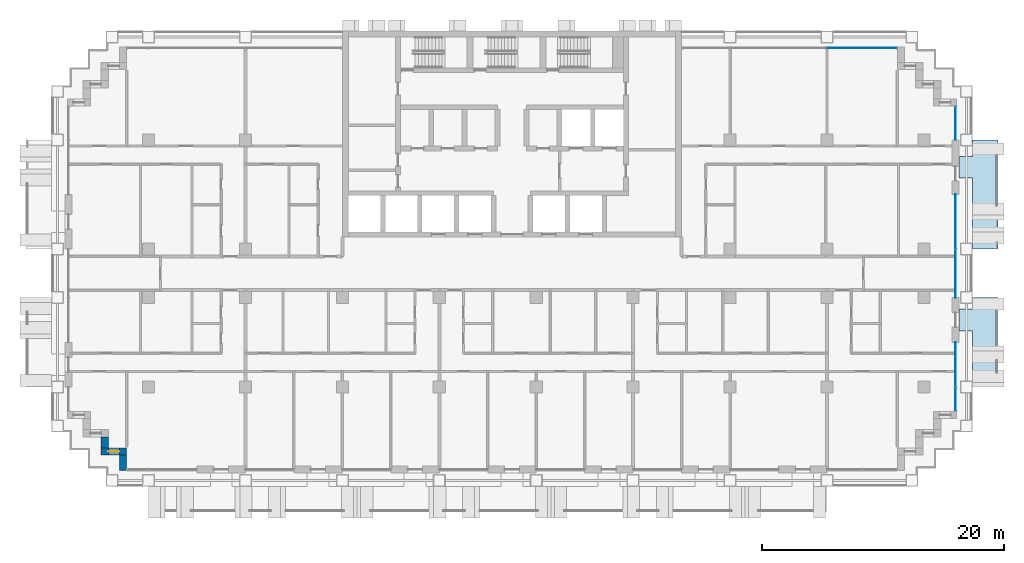
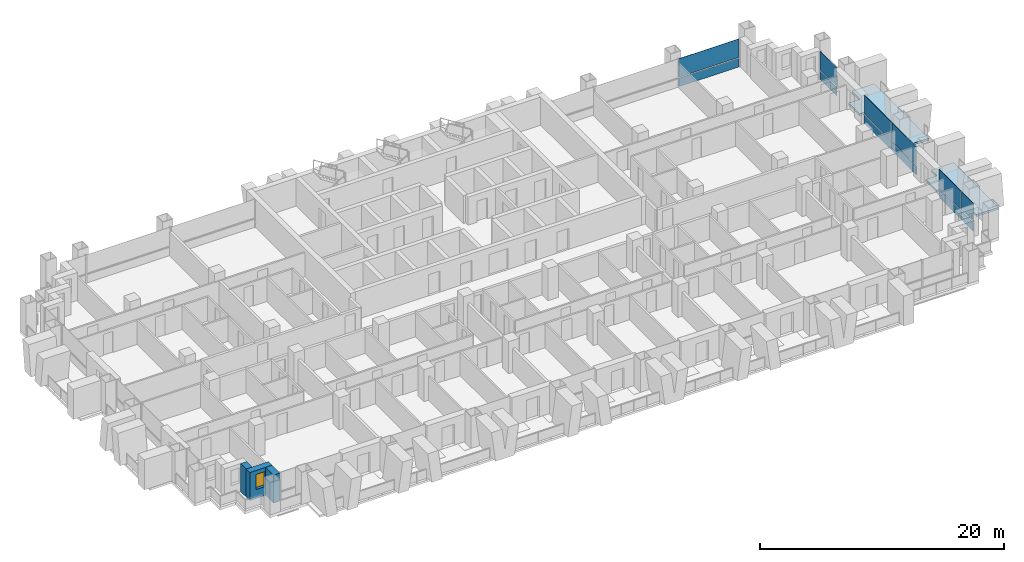
# One storey, part 8 of 19: 12 plates, 3 walls, 2 slabs, 1 window, 1 opening, 4 elements without a shape of their own.
"""IFC4 building model written with IfcOpenShell, lengths in metres."""

import ifcopenshell
import ifcopenshell.guid

model = None  # the IFC model being written
_history = None  # IfcOwnerHistory: only IFC2X3 demands one
_inside = {}  # id of a spatial element -> (the spatial element, [elements in it])
_under = {}  # id of a project, library or spatial element -> (it, [spatial elements below it])
_declared = {}  # id of a project -> (the project, [libraries it declares])
_typed = {}  # id of a type object -> (the type object, [elements of that type])
_made_of = {}  # id of a material, layer set ... -> (it, [elements and type objects made of it])


def new_model(schema):
    """Start an empty IFC model of exactly this schema.

    Asked for "IFC4X3", IfcOpenShell would pick the latest addendum, in which some entities
    have other attributes; the version numbers below select the first issue.
    IFC2X3 requires an IfcOwnerHistory on every rooted entity: one is made here for all.
    """
    global model, _history
    if schema == "IFC4X3":
        model = ifcopenshell.file(schema_version=(4, 3, 0, 0))
    else:
        model = ifcopenshell.file(schema=schema)
    _inside.clear()
    _under.clear()
    _declared.clear()
    _typed.clear()
    _made_of.clear()
    _history = None
    if model.schema == "IFC2X3":
        org = make("IfcOrganization", Name="unknown")
        user = make(
            "IfcPersonAndOrganization",
            ThePerson=make("IfcPerson", FamilyName="unknown"),
            TheOrganization=org,
        )
        app = make(
            "IfcApplication",
            ApplicationDeveloper=org,
            Version="unknown",
            ApplicationFullName="unknown",
            ApplicationIdentifier="unknown",
        )
        _history = make(
            "IfcOwnerHistory",
            OwningUser=user,
            OwningApplication=app,
            ChangeAction="ADDED",
            CreationDate=0,
        )
    return model


def make(cls, **values):
    """One entity of the class cls with the attributes given. An attribute that is None is left unset."""
    return model.create_entity(
        cls, **{name: value for name, value in values.items() if value is not None}
    )


def rooted(cls, **values):
    """An entity with a GlobalId (a new one), such as an element, a storey or a relation."""
    return make(cls, GlobalId=ifcopenshell.guid.new(), OwnerHistory=_history, **values)


def si_unit(unit_type, name, prefix=None):
    """IfcSIUnit, for example si_unit("LENGTHUNIT", "METRE", prefix="MILLI")."""
    return make("IfcSIUnit", UnitType=unit_type, Prefix=prefix, Name=name)


def assignment(units):
    """IfcUnitAssignment: the units of a project."""
    return None if units is None else make("IfcUnitAssignment", Units=units)


def point(xyz):
    """IfcCartesianPoint."""
    return None if xyz is None else make("IfcCartesianPoint", Coordinates=xyz)


def direction(xyz):
    """IfcDirection."""
    return None if xyz is None else make("IfcDirection", DirectionRatios=xyz)


def frame(location, z_axis=None, x_axis=None):
    """IfcAxis2Placement3D, a coordinate frame: its origin and axes. An axis left out is left unset."""
    return make(
        "IfcAxis2Placement3D",
        Location=point(location),
        Axis=direction(z_axis),
        RefDirection=direction(x_axis),
    )


def frame_2d(location, x_axis=None):
    """IfcAxis2Placement2D, a coordinate frame in the plane: its origin and x axis."""
    return make(
        "IfcAxis2Placement2D", Location=point(location), RefDirection=direction(x_axis)
    )


def origin():
    """The frame at (0, 0, 0) with its axes left unset."""
    return frame((0.0, 0.0, 0.0))


def origin_2d():
    """The frame at (0, 0) in the plane with its x axis left unset."""
    return frame_2d((0.0, 0.0))


def place(relative_to, where):
    """IfcLocalPlacement: puts the frame where relative to a parent placement (None: the world)."""
    return make(
        "IfcLocalPlacement", PlacementRelTo=relative_to, RelativePlacement=where
    )


def context(
    kind, dimensions, precision=None, world=None, true_north=None, identifier=None
):
    """IfcGeometricRepresentationContext, for example the 3D "Model" context."""
    return make(
        "IfcGeometricRepresentationContext",
        ContextIdentifier=identifier,
        ContextType=kind,
        CoordinateSpaceDimension=dimensions,
        Precision=precision,
        WorldCoordinateSystem=world,
        TrueNorth=true_north,
    )


def subcontext(parent, identifier, kind, view, scale=None):
    """IfcGeometricRepresentationSubContext, for example "Body" below "Model"."""
    return make(
        "IfcGeometricRepresentationSubContext",
        ContextIdentifier=identifier,
        ContextType=kind,
        ParentContext=parent,
        TargetScale=scale,
        TargetView=view,
    )


def project(units=None, contexts=None):
    """IfcProject with its units and contexts."""
    return rooted(
        "IfcProject",
        Name="project",
        RepresentationContexts=contexts,
        UnitsInContext=assignment(units),
    )


def spatial(cls, under=None, at=None, **own):
    """A site, building, storey or space (cls), placed at a placement, below another one or the project."""
    s = rooted(cls, ObjectPlacement=at, **own)
    if under is not None:
        _under.setdefault(under.id(), (under, []))[1].append(s)
    return s


def polyline(points):
    """IfcPolyline through the points."""
    return make("IfcPolyline", Points=[point(p) for p in points])


def profile(cls, at=None, kind="AREA", **sizes):
    """A parametric profile (cls). Its sizes go by their IFC names, for example OverallWidth=200.0."""
    return make(cls, ProfileType=kind, Position=at, **sizes)


def rectangle(**sizes):
    """IfcRectangleProfileDef."""
    return profile("IfcRectangleProfileDef", **sizes)


def outline(outer, holes=None, kind="AREA"):
    """IfcArbitraryClosedProfileDef: a profile drawn as a closed curve; with holes, ...WithVoids."""
    if holes is None:
        return make("IfcArbitraryClosedProfileDef", ProfileType=kind, OuterCurve=outer)
    return make(
        "IfcArbitraryProfileDefWithVoids",
        ProfileType=kind,
        OuterCurve=outer,
        InnerCurves=holes,
    )


def extrude(swept, where, along, depth):
    """IfcExtrudedAreaSolid: the profile swept, set in the frame where, extruded along a direction by depth."""
    return make(
        "IfcExtrudedAreaSolid",
        SweptArea=swept,
        Position=where,
        ExtrudedDirection=direction(along),
        Depth=depth,
    )


def shape(context_of_items, identifier, shape_type, items):
    """IfcShapeRepresentation: the items that make up one representation, for example the "Body"."""
    return make(
        "IfcShapeRepresentation",
        ContextOfItems=context_of_items,
        RepresentationIdentifier=identifier,
        RepresentationType=shape_type,
        Items=items,
    )


def material(Name=None, Category=None):
    """IfcMaterial."""
    return make("IfcMaterial", Name=Name, Category=Category)


def layer(
    of_material, thickness, ventilated=None, Name=None, Category=None, Priority=None
):
    """IfcMaterialLayer: one layer of a wall or slab, of a material (None: an air gap)."""
    return make(
        "IfcMaterialLayer",
        Material=of_material,
        LayerThickness=thickness,
        IsVentilated=ventilated,
        Name=Name,
        Category=Category,
        Priority=Priority,
    )


def layer_set(layers, Name=None):
    """IfcMaterialLayerSet."""
    return make("IfcMaterialLayerSet", MaterialLayers=layers, LayerSetName=Name)


def made_of(thing, what):
    """Note that an element or type object is made of a material, layer set ...; save() writes the relation."""
    if what is not None:
        _made_of.setdefault(what.id(), (what, []))[1].append(thing)
    return thing


def type_object(cls, material=None, **own):
    """A type object (cls), such as IfcWallType, which elements share."""
    return made_of(rooted(cls, **own), material)


def element(
    cls,
    number,
    at=None,
    inside=None,
    cuts=None,
    type_object=None,
    material=None,
    context=None,
    identifier="Body",
    shape_type=None,
    held_by="IfcProductDefinitionShape",
    body=None,
    shapes=None,
    **own,
):
    """One element of the class cls, such as IfcWall. Its Tag is "e" and its number.

    at: its placement. inside: the storey or other place that contains it. cuts: it is an
    opening in that element (IfcRelVoidsElement). A single representation is given by context,
    identifier, shape_type and body (its items); several are given by shapes. held_by: the class
    of the entity that holds the representations. save() writes the other relations.
    """
    e = rooted(cls, Tag="e%d" % number, ObjectPlacement=at, **own)
    if body is not None:
        shapes = [shape(context, identifier, shape_type, body)]
    if shapes is not None:
        e.Representation = make(held_by, Representations=shapes)
    if inside is not None:
        _inside.setdefault(inside.id(), (inside, []))[1].append(e)
    if cuts is not None:
        rooted(
            "IfcRelVoidsElement", RelatingBuildingElement=cuts, RelatedOpeningElement=e
        )
    if type_object is not None:
        _typed.setdefault(type_object.id(), (type_object, []))[1].append(e)
    return made_of(e, material)


def fill(opening, filler):
    """IfcRelFillsElement: the door or window that sits in an opening."""
    return rooted(
        "IfcRelFillsElement",
        RelatingOpeningElement=opening,
        RelatedBuildingElement=filler,
    )


def aggregate(whole, parts):
    """IfcRelAggregates: a whole, such as a stair, and the parts it consists of."""
    return rooted("IfcRelAggregates", RelatingObject=whole, RelatedObjects=parts)


def save(model, path):
    """Write the relations noted so far, then the file.

    IfcRelAggregates (storeys below a building ...), IfcRelContainedInSpatialStructure (elements
    in a storey), IfcRelDefinesByType, IfcRelAssociatesMaterial and IfcRelDeclares: one each for
    every whole, place, type object, material and project.
    """
    for whole, parts in _under.values():
        aggregate(whole, parts)
    for where, things in _inside.values():
        rooted(
            "IfcRelContainedInSpatialStructure",
            RelatedElements=things,
            RelatingStructure=where,
        )
    for kind, things in _typed.values():
        rooted("IfcRelDefinesByType", RelatedObjects=things, RelatingType=kind)
    for what, things in _made_of.values():
        rooted("IfcRelAssociatesMaterial", RelatedObjects=things, RelatingMaterial=what)
    for by, libraries in _declared.values():
        rooted("IfcRelDeclares", RelatingContext=by, RelatedDefinitions=libraries)
    model.write(path)


model = new_model("IFC4")

# Units and contexts
model_context = context("Model", 3, precision=1e-05, world=origin(), true_north=direction((0.0, 1.0)))
body_context = subcontext(model_context, "Body", "Model", "MODEL_VIEW")
ifc_project = project(units=[si_unit("LENGTHUNIT", "METRE"), si_unit("AREAUNIT", "SQUARE_METRE"), si_unit("VOLUMEUNIT", "CUBIC_METRE"), si_unit("PLANEANGLEUNIT", "RADIAN"), si_unit("MASSUNIT", "GRAM", prefix="KILO")], contexts=[model_context])

# Site, building, storey
site_placement = place(None, origin())
site = spatial("IfcSite", under=ifc_project, at=site_placement, CompositionType="ELEMENT")
building_placement = place(site_placement, origin())
building = spatial("IfcBuilding", under=site, at=building_placement, Name="Vidyagriha Tower", CompositionType="ELEMENT")
storey_placement = place(building_placement, frame((0.0, 0.0, 60.800048828125)))
storey = spatial("IfcBuildingStorey", under=building, at=storey_placement, Name="L16", CompositionType="ELEMENT", Elevation=60.800048828125)

# Curtain wall, plate
ifc_material_1 = material(Name="Aluminium and glass curtain wall", Category="aluminium")
curtain_wall_type = type_object("IfcCurtainWallType", Name="Dwelling skin unitised curtain wall", PredefinedType="USERDEFINED", material=ifc_material_1)
curtain_wall_1_placement = place(storey_placement, origin())
curtain_wall_1 = element("IfcCurtainWall", 1, at=curtain_wall_1_placement, inside=storey, type_object=curtain_wall_type, Name="CW1 dwelling skin", ObjectType="UNITISED", PredefinedType="USERDEFINED")
ifc_material_2 = material(Name="Glass dark ceramic-fritted spandrel", Category="glass")
ifc_layer_1 = layer(ifc_material_2, 0.0400390625)
ifc_layer_set_1 = layer_set([ifc_layer_1], Name="Glass dark ceramic-fritted spandrel")
plate_type_1 = type_object("IfcPlateType", Name="Ceramic-fritted spandrel panel", PredefinedType="CURTAIN_PANEL", material=ifc_layer_set_1)
plate_1_placement = place(storey_placement, frame((28.882568359375, 18.60009765625, 0.0), z_axis=(0.0, 0.0, 1.0), x_axis=(-1.0, 0.0, 0.0)))
plate_1 = element("IfcPlate", 2, at=plate_1_placement, type_object=plate_type_1, Name="CW1 panel 1.1", PredefinedType="CURTAIN_PANEL", context=body_context, shape_type="SweptSolid", body=[
    extrude(rectangle(XDim=5.695068359375, YDim=0.0400390625, at=origin_2d()), origin(), (0.0, 0.0, 1.0), 0.85009765625),
])

# Curtain wall, plates
curtain_wall_2_placement = place(storey_placement, origin())
curtain_wall_2 = element("IfcCurtainWall", 3, at=curtain_wall_2_placement, inside=storey, type_object=curtain_wall_type, Name="CW1 dwelling skin", ObjectType="UNITISED", PredefinedType="USERDEFINED")
plate_2_placement = place(storey_placement, frame((36.60009765625, -10.382568359375, 0.0), z_axis=(0.0, 0.0, 1.0), x_axis=(0.0, 1.0, 0.0)))
plate_2 = element("IfcPlate", 4, at=plate_2_placement, type_object=plate_type_1, Name="CW1 panel 1.1", PredefinedType="CURTAIN_PANEL", context=body_context, shape_type="SweptSolid", body=[
    extrude(rectangle(XDim=1.89501953125, YDim=0.0400390625, at=origin_2d()), origin(), (0.0, 0.0, 1.0), 0.85009765625),
])
plate_3_placement = place(storey_placement, frame((36.60009765625, -7.532470703125, 0.0), z_axis=(0.0, 0.0, 1.0), x_axis=(0.0, 1.0, 0.0)))
plate_3 = element("IfcPlate", 5, at=plate_3_placement, type_object=plate_type_1, Name="CW1 panel 2.1", PredefinedType="CURTAIN_PANEL", context=body_context, shape_type="SweptSolid", body=[
    extrude(rectangle(XDim=3.6650390625, YDim=0.0400390625, at=origin_2d()), origin(), (0.0, 0.0, 1.0), 0.85009765625),
])

# Curtain wall, plate
curtain_wall_3_placement = place(storey_placement, origin())
curtain_wall_3 = element("IfcCurtainWall", 6, at=curtain_wall_3_placement, inside=storey, type_object=curtain_wall_type, Name="CW1 dwelling skin", ObjectType="UNITISED", PredefinedType="USERDEFINED")
plate_4_placement = place(storey_placement, frame((36.60009765625, 12.364990234375, 0.0), z_axis=(0.0, 0.0, 1.0), x_axis=(0.0, 1.0, 0.0)))
plate_4 = element("IfcPlate", 7, at=plate_4_placement, type_object=plate_type_1, Name="CW1 panel 1.1", PredefinedType="CURTAIN_PANEL", context=body_context, shape_type="SweptSolid", body=[
    extrude(rectangle(XDim=2.72998046875, YDim=0.0400390625, at=origin_2d()), origin(), (0.0, 0.0, 1.0), 0.85009765625),
])

# Plate
ifc_material_3 = material(Name="Glass dark ceramic-fritted", Category="glass")
ifc_layer_2 = layer(ifc_material_3, 0.028076171875)
ifc_layer_set_2 = layer_set([ifc_layer_2], Name="Glass dark ceramic-fritted")
plate_type_2 = type_object("IfcPlateType", Name="Dark ceramic-fritted vision glass panel", PredefinedType="CURTAIN_PANEL", material=ifc_layer_set_2)
plate_5_placement = place(storey_placement, frame((28.882568359375, 18.60009765625, 0.949951171875), z_axis=(0.0, 0.0, 1.0), x_axis=(-1.0, 0.0, 0.0)))
plate_5 = element("IfcPlate", 8, at=plate_5_placement, type_object=plate_type_2, Name="CW1 panel 1.2", PredefinedType="CURTAIN_PANEL", context=body_context, shape_type="SweptSolid", body=[
    extrude(rectangle(XDim=5.695068359375, YDim=0.028076171875, at=origin_2d()), origin(), (0.0, 0.0, 1.0), 1.85009765625),
])

aggregate(curtain_wall_1, [plate_1, plate_5])

plate_6_placement = place(storey_placement, frame((36.60009765625, -10.382568359375, 0.949951171875), z_axis=(0.0, 0.0, 1.0), x_axis=(0.0, 1.0, 0.0)))
plate_6 = element("IfcPlate", 9, at=plate_6_placement, type_object=plate_type_2, Name="CW1 panel 1.2", PredefinedType="CURTAIN_PANEL", context=body_context, shape_type="SweptSolid", body=[
    extrude(rectangle(XDim=1.89501953125, YDim=0.028076171875, at=origin_2d()), origin(), (0.0, 0.0, 1.0), 1.85009765625),
])

plate_7_placement = place(storey_placement, frame((36.60009765625, -7.532470703125, 0.949951171875), z_axis=(0.0, 0.0, 1.0), x_axis=(0.0, 1.0, 0.0)))
plate_7 = element("IfcPlate", 10, at=plate_7_placement, type_object=plate_type_2, Name="CW1 panel 2.2", PredefinedType="CURTAIN_PANEL", context=body_context, shape_type="SweptSolid", body=[
    extrude(rectangle(XDim=3.6650390625, YDim=0.028076171875, at=origin_2d()), origin(), (0.0, 0.0, 1.0), 1.85009765625),
])

aggregate(curtain_wall_2, [plate_2, plate_6, plate_3, plate_7])

# Curtain wall, plates
curtain_wall_4_placement = place(storey_placement, origin())
curtain_wall_4 = element("IfcCurtainWall", 11, at=curtain_wall_4_placement, inside=storey, type_object=curtain_wall_type, Name="CW1 dwelling skin", ObjectType="UNITISED", PredefinedType="USERDEFINED")
plate_8_placement = place(storey_placement, frame((36.60009765625, -0.017578125, 0.949951171875), z_axis=(0.0, 0.0, 1.0), x_axis=(0.0, 1.0, 0.0)))
plate_8 = element("IfcPlate", 12, at=plate_8_placement, type_object=plate_type_2, Name="CW1 panel 1.2", PredefinedType="CURTAIN_PANEL", context=body_context, shape_type="SweptSolid", body=[
    extrude(rectangle(XDim=3.965087890625, YDim=0.028076171875, at=origin_2d()), origin(), (0.0, 0.0, 1.0), 1.85009765625),
])
plate_9_placement = place(storey_placement, frame((36.60009765625, 4.267578125, 0.949951171875), z_axis=(0.0, 0.0, 1.0), x_axis=(0.0, 1.0, 0.0)))
plate_9 = element("IfcPlate", 13, at=plate_9_placement, type_object=plate_type_2, Name="CW1 panel 2.2", PredefinedType="CURTAIN_PANEL", context=body_context, shape_type="SweptSolid", body=[
    extrude(rectangle(XDim=4.465087890625, YDim=0.028076171875, at=origin_2d()), origin(), (0.0, 0.0, 1.0), 1.85009765625),
])

# Plate
plate_10_placement = place(storey_placement, frame((36.60009765625, 12.364990234375, 0.949951171875), z_axis=(0.0, 0.0, 1.0), x_axis=(0.0, 1.0, 0.0)))
plate_10 = element("IfcPlate", 14, at=plate_10_placement, type_object=plate_type_2, Name="CW1 panel 1.2", PredefinedType="CURTAIN_PANEL", context=body_context, shape_type="SweptSolid", body=[
    extrude(rectangle(XDim=2.72998046875, YDim=0.028076171875, at=origin_2d()), origin(), (0.0, 0.0, 1.0), 1.85009765625),
])

aggregate(curtain_wall_3, [plate_4, plate_10])

ifc_material_4 = material(Name="Aluminium black anodised", Category="aluminium")
ifc_layer_3 = layer(ifc_material_4, 0.06005859375)
ifc_layer_set_3 = layer_set([ifc_layer_3], Name="Aluminium black anodised")
plate_type_3 = type_object("IfcPlateType", Name="Operable black-metal vent panel", PredefinedType="CURTAIN_PANEL", material=ifc_layer_set_3)
plate_11_placement = place(storey_placement, frame((36.60009765625, -0.017578125, 0.0), z_axis=(0.0, 0.0, 1.0), x_axis=(0.0, 1.0, 0.0)))
plate_11 = element("IfcPlate", 15, at=plate_11_placement, type_object=plate_type_3, Name="CW1 panel 1.1", PredefinedType="CURTAIN_PANEL", context=body_context, shape_type="SweptSolid", body=[
    extrude(rectangle(XDim=3.965087890625, YDim=0.06005859375, at=origin_2d()), origin(), (0.0, 0.0, 1.0), 0.85009765625),
])

plate_12_placement = place(storey_placement, frame((36.60009765625, 4.267578125, 0.0), z_axis=(0.0, 0.0, 1.0), x_axis=(0.0, 1.0, 0.0)))
plate_12 = element("IfcPlate", 16, at=plate_12_placement, type_object=plate_type_3, Name="CW1 panel 2.1", PredefinedType="CURTAIN_PANEL", context=body_context, shape_type="SweptSolid", body=[
    extrude(rectangle(XDim=4.465087890625, YDim=0.06005859375, at=origin_2d()), origin(), (0.0, 0.0, 1.0), 0.85009765625),
])

aggregate(curtain_wall_4, [plate_11, plate_8, plate_12, plate_9])

# Slabs
ifc_material_5 = material(Name="Precast concrete C40/50", Category="concrete")
ifc_layer_4 = layer(ifc_material_5, 0.199951171875)
ifc_layer_set_4 = layer_set([ifc_layer_4], Name="Precast concrete C40/50")
slab_type = type_object("IfcSlabType", Name="Precast balcony slab 200", PredefinedType="USERDEFINED", material=ifc_layer_set_4)
slab_1_placement = place(storey_placement, frame((0.0, 0.0, -0.199951171875)))
element("IfcSlab", 17, at=slab_1_placement, inside=storey, type_object=slab_type, Name="Balcony slab L16 R30.1-1", ObjectType="BALCONY", PredefinedType="USERDEFINED", context=body_context, shape_type="SweptSolid", body=[
    extrude(outline(polyline([(38.0, -4.75), (38.0, -9.39990234375), (40.10009765625, -9.39990234375), (40.10009765625, -2.0), (38.0, -2.0), (38.0, -2.949951171875), (36.89990234375, -2.949951171875), (36.89990234375, -4.75), (38.0, -4.75)])), origin(), (0.0, 0.0, 1.0), 0.199951171875),
])
slab_2_placement = place(storey_placement, frame((0.0, 0.0, -0.199951171875)))
element("IfcSlab", 18, at=slab_2_placement, inside=storey, type_object=slab_type, Name="Balcony slab L16 R30.2-2", ObjectType="BALCONY", PredefinedType="USERDEFINED", context=body_context, shape_type="SweptSolid", body=[
    extrude(outline(polyline([(38.0, 7.85009765625), (38.0, 2.0), (40.10009765625, 2.0), (40.10009765625, 11.0), (38.0, 11.0), (38.0, 9.64990234375), (36.89990234375, 9.64990234375), (36.89990234375, 7.85009765625), (38.0, 7.85009765625)])), origin(), (0.0, 0.0, 1.0), 0.199951171875),
])

# Wall
ifc_material_6 = material(Name="Precast concrete C40/50 with brick facing", Category="concrete")
ifc_layer_5 = layer(ifc_material_6, 0.60009765625)
ifc_layer_set_5 = layer_set([ifc_layer_5], Name="Precast concrete C40/50 with brick facing")
wall_type = type_object("IfcWallType", Name="Brick-faced precast wall 600", PredefinedType="STANDARD", material=ifc_layer_set_5)
wall_1_placement = place(storey_placement, frame((-33.60009765625, -13.5, 0.0), z_axis=(0.0, 0.0, 1.0), x_axis=(0.0, -1.0, 0.0)))
element("IfcWall", 19, at=wall_1_placement, inside=storey, type_object=wall_type, Name="Stepped corner wall L16 R20", PredefinedType="STANDARD", context=body_context, shape_type="SweptSolid", body=[
    extrude(rectangle(XDim=0.89990234375, YDim=0.60009765625, at=frame_2d((0.449951171875, 0.0))), origin(), (0.0, 0.0, 1.0), 2.800048828125),
])

# Wall, opening, window
wall_2_placement = place(storey_placement, frame((-33.89990234375, -14.699951171875, 0.0)))
wall_2 = element("IfcWall", 20, at=wall_2_placement, inside=storey, type_object=wall_type, Name="Stepped corner wall L16 R21", PredefinedType="STANDARD", context=body_context, shape_type="SweptSolid", body=[
    extrude(rectangle(XDim=2.099853515625, YDim=0.60009765625, at=frame_2d((1.0498046875, 0.0))), origin(), (0.0, 0.0, 1.0), 2.800048828125),
])
opening_placement = place(wall_2_placement, frame((0.60009765625, 0.0, 0.89990234375)))
opening = element("IfcOpeningElement", 21, at=opening_placement, cuts=wall_2, Name="Opening WN1", PredefinedType="OPENING", context=body_context, shape_type="SweptSolid", body=[
    extrude(rectangle(XDim=0.89990234375, YDim=1.5, at=frame_2d((0.449951171875, 0.75))), frame((0.0, 0.31005859375, 0.0), z_axis=(0.0, -1.0, 0.0), x_axis=(1.0, 0.0, 0.0)), (0.0, 0.0, 1.0), 0.6201171875),
])
ifc_material_7 = material(Name="Aluminium and glass window", Category="aluminium")
window_type = type_object("IfcWindowType", Name="Reveal window 900x1500", PartitioningType="NOTDEFINED", PredefinedType="WINDOW", material=ifc_material_7)
window_placement = place(opening_placement, origin())
window = element("IfcWindow", 22, at=window_placement, inside=storey, type_object=window_type, Name="Reveal window L16 R21", OverallHeight=1.5, OverallWidth=0.89990234375, PartitioningType="SINGLE_PANEL", PredefinedType="WINDOW", context=body_context, shape_type="SweptSolid", body=[
    extrude(rectangle(XDim=0.89990234375, YDim=1.5, at=frame_2d((0.449951171875, 0.75))), frame((0.0, 0.030029296875, 0.0), z_axis=(0.0, -1.0, 0.0), x_axis=(1.0, 0.0, 0.0)), (0.0, 0.0, 1.0), 0.06005859375),
])
fill(opening, window)

# Wall
wall_3_placement = place(storey_placement, frame((-32.10009765625, -15.0, 0.0), z_axis=(0.0, 0.0, 1.0), x_axis=(0.0, -1.0, 0.0)))
element("IfcWall", 23, at=wall_3_placement, inside=storey, type_object=wall_type, Name="Stepped corner wall L16 R22", PredefinedType="STANDARD", context=body_context, shape_type="SweptSolid", body=[
    extrude(rectangle(XDim=1.280029296875, YDim=0.60009765625, at=frame_2d((0.64013671875, 0.0))), origin(), (0.0, 0.0, 1.0), 2.800048828125),
])

save(model, "model.ifc")
